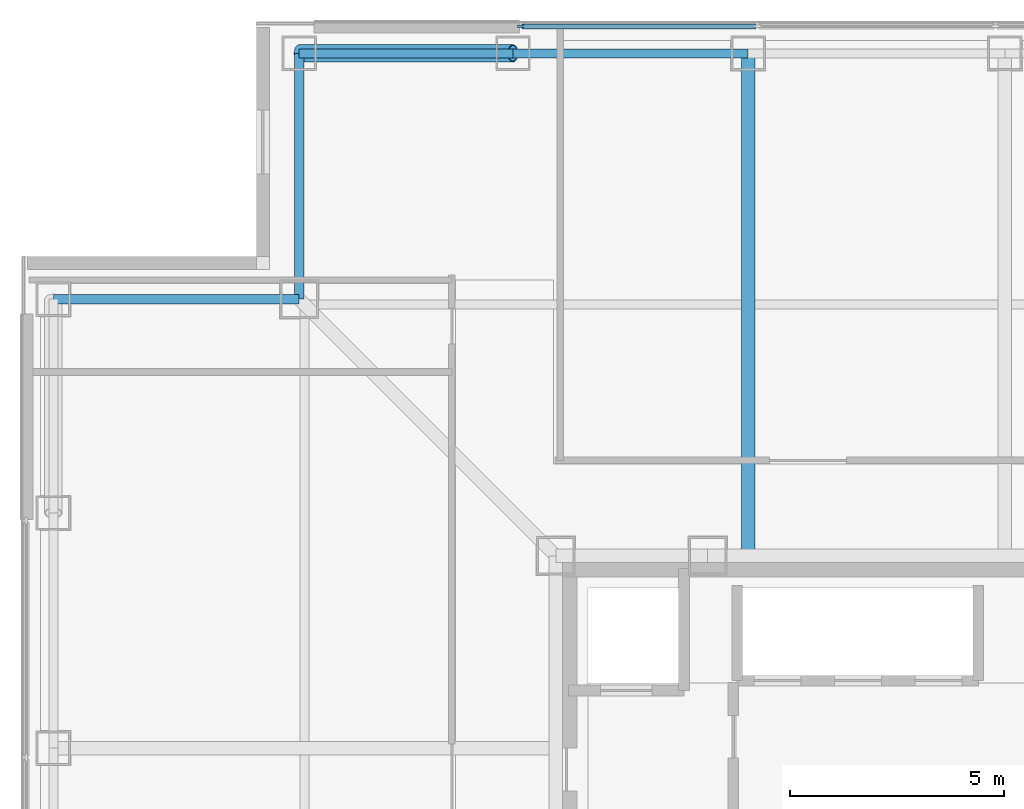
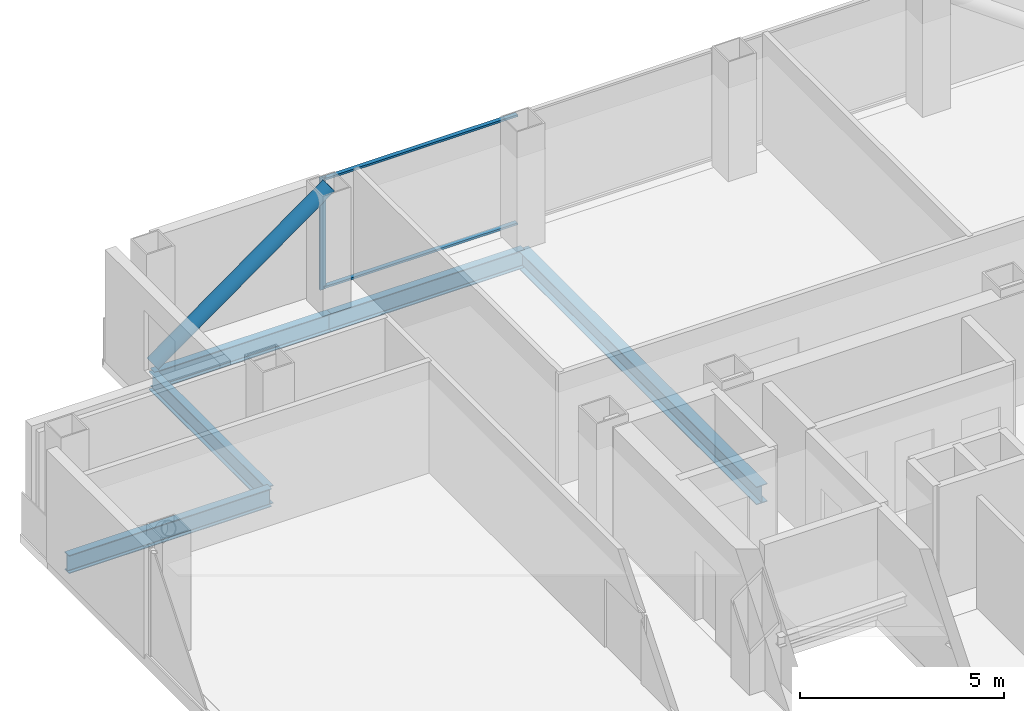
# One storey, part 7 of 17: 5 beams, 4 members, 1 element without a shape of its own.
"""IFC4 building model written with IfcOpenShell, lengths in metres."""

import ifcopenshell
import ifcopenshell.guid

model = None  # the IFC model being written
_history = None  # IfcOwnerHistory: only IFC2X3 demands one
_inside = {}  # id of a spatial element -> (the spatial element, [elements in it])
_under = {}  # id of a project, library or spatial element -> (it, [spatial elements below it])
_declared = {}  # id of a project -> (the project, [libraries it declares])
_typed = {}  # id of a type object -> (the type object, [elements of that type])
_made_of = {}  # id of a material, layer set ... -> (it, [elements and type objects made of it])


def new_model(schema):
    """Start an empty IFC model of exactly this schema.

    Asked for "IFC4X3", IfcOpenShell would pick the latest addendum, in which some entities
    have other attributes; the version numbers below select the first issue.
    IFC2X3 requires an IfcOwnerHistory on every rooted entity: one is made here for all.
    """
    global model, _history
    if schema == "IFC4X3":
        model = ifcopenshell.file(schema_version=(4, 3, 0, 0))
    else:
        model = ifcopenshell.file(schema=schema)
    _inside.clear()
    _under.clear()
    _declared.clear()
    _typed.clear()
    _made_of.clear()
    _history = None
    if model.schema == "IFC2X3":
        org = make("IfcOrganization", Name="unknown")
        user = make(
            "IfcPersonAndOrganization",
            ThePerson=make("IfcPerson", FamilyName="unknown"),
            TheOrganization=org,
        )
        app = make(
            "IfcApplication",
            ApplicationDeveloper=org,
            Version="unknown",
            ApplicationFullName="unknown",
            ApplicationIdentifier="unknown",
        )
        _history = make(
            "IfcOwnerHistory",
            OwningUser=user,
            OwningApplication=app,
            ChangeAction="ADDED",
            CreationDate=0,
        )
    return model


def make(cls, **values):
    """One entity of the class cls with the attributes given. An attribute that is None is left unset."""
    return model.create_entity(
        cls, **{name: value for name, value in values.items() if value is not None}
    )


def rooted(cls, **values):
    """An entity with a GlobalId (a new one), such as an element, a storey or a relation."""
    return make(cls, GlobalId=ifcopenshell.guid.new(), OwnerHistory=_history, **values)


def si_unit(unit_type, name, prefix=None):
    """IfcSIUnit, for example si_unit("LENGTHUNIT", "METRE", prefix="MILLI")."""
    return make("IfcSIUnit", UnitType=unit_type, Prefix=prefix, Name=name)


def assignment(units):
    """IfcUnitAssignment: the units of a project."""
    return None if units is None else make("IfcUnitAssignment", Units=units)


def point(xyz):
    """IfcCartesianPoint."""
    return None if xyz is None else make("IfcCartesianPoint", Coordinates=xyz)


def direction(xyz):
    """IfcDirection."""
    return None if xyz is None else make("IfcDirection", DirectionRatios=xyz)


def frame(location, z_axis=None, x_axis=None):
    """IfcAxis2Placement3D, a coordinate frame: its origin and axes. An axis left out is left unset."""
    return make(
        "IfcAxis2Placement3D",
        Location=point(location),
        Axis=direction(z_axis),
        RefDirection=direction(x_axis),
    )


def frame_2d(location, x_axis=None):
    """IfcAxis2Placement2D, a coordinate frame in the plane: its origin and x axis."""
    return make(
        "IfcAxis2Placement2D", Location=point(location), RefDirection=direction(x_axis)
    )


def origin():
    """The frame at (0, 0, 0) with its axes left unset."""
    return frame((0.0, 0.0, 0.0))


def origin_2d():
    """The frame at (0, 0) in the plane with its x axis left unset."""
    return frame_2d((0.0, 0.0))


def place(relative_to, where):
    """IfcLocalPlacement: puts the frame where relative to a parent placement (None: the world)."""
    return make(
        "IfcLocalPlacement", PlacementRelTo=relative_to, RelativePlacement=where
    )


def context(
    kind, dimensions, precision=None, world=None, true_north=None, identifier=None
):
    """IfcGeometricRepresentationContext, for example the 3D "Model" context."""
    return make(
        "IfcGeometricRepresentationContext",
        ContextIdentifier=identifier,
        ContextType=kind,
        CoordinateSpaceDimension=dimensions,
        Precision=precision,
        WorldCoordinateSystem=world,
        TrueNorth=true_north,
    )


def subcontext(parent, identifier, kind, view, scale=None):
    """IfcGeometricRepresentationSubContext, for example "Body" below "Model"."""
    return make(
        "IfcGeometricRepresentationSubContext",
        ContextIdentifier=identifier,
        ContextType=kind,
        ParentContext=parent,
        TargetScale=scale,
        TargetView=view,
    )


def project(units=None, contexts=None):
    """IfcProject with its units and contexts."""
    return rooted(
        "IfcProject",
        Name="project",
        RepresentationContexts=contexts,
        UnitsInContext=assignment(units),
    )


def spatial(cls, under=None, at=None, **own):
    """A site, building, storey or space (cls), placed at a placement, below another one or the project."""
    s = rooted(cls, ObjectPlacement=at, **own)
    if under is not None:
        _under.setdefault(under.id(), (under, []))[1].append(s)
    return s


def profile(cls, at=None, kind="AREA", **sizes):
    """A parametric profile (cls). Its sizes go by their IFC names, for example OverallWidth=200.0."""
    return make(cls, ProfileType=kind, Position=at, **sizes)


def rectangle(**sizes):
    """IfcRectangleProfileDef."""
    return profile("IfcRectangleProfileDef", **sizes)


def hollow_circle(**sizes):
    """IfcCircleHollowProfileDef."""
    return profile("IfcCircleHollowProfileDef", **sizes)


def i_section(**sizes):
    """IfcIShapeProfileDef."""
    return profile("IfcIShapeProfileDef", **sizes)


def extrude(swept, where, along, depth):
    """IfcExtrudedAreaSolid: the profile swept, set in the frame where, extruded along a direction by depth."""
    return make(
        "IfcExtrudedAreaSolid",
        SweptArea=swept,
        Position=where,
        ExtrudedDirection=direction(along),
        Depth=depth,
    )


def shape(context_of_items, identifier, shape_type, items):
    """IfcShapeRepresentation: the items that make up one representation, for example the "Body"."""
    return make(
        "IfcShapeRepresentation",
        ContextOfItems=context_of_items,
        RepresentationIdentifier=identifier,
        RepresentationType=shape_type,
        Items=items,
    )


def material(Name=None, Category=None):
    """IfcMaterial."""
    return make("IfcMaterial", Name=Name, Category=Category)


def layer(
    of_material, thickness, ventilated=None, Name=None, Category=None, Priority=None
):
    """IfcMaterialLayer: one layer of a wall or slab, of a material (None: an air gap)."""
    return make(
        "IfcMaterialLayer",
        Material=of_material,
        LayerThickness=thickness,
        IsVentilated=ventilated,
        Name=Name,
        Category=Category,
        Priority=Priority,
    )


def layer_set(layers, Name=None):
    """IfcMaterialLayerSet."""
    return make("IfcMaterialLayerSet", MaterialLayers=layers, LayerSetName=Name)


def material_profile(
    of_material, cross_section, Name=None, Category=None, Priority=None
):
    """IfcMaterialProfile: a cross section and its material."""
    return make(
        "IfcMaterialProfile",
        Name=Name,
        Material=of_material,
        Profile=cross_section,
        Priority=Priority,
        Category=Category,
    )


def profile_set(profiles, Name=None, composite=None):
    """IfcMaterialProfileSet."""
    return make(
        "IfcMaterialProfileSet",
        Name=Name,
        MaterialProfiles=profiles,
        CompositeProfile=composite,
    )


def made_of(thing, what):
    """Note that an element or type object is made of a material, layer set ...; save() writes the relation."""
    if what is not None:
        _made_of.setdefault(what.id(), (what, []))[1].append(thing)
    return thing


def type_object(cls, material=None, **own):
    """A type object (cls), such as IfcWallType, which elements share."""
    return made_of(rooted(cls, **own), material)


def element(
    cls,
    number,
    at=None,
    inside=None,
    cuts=None,
    type_object=None,
    material=None,
    context=None,
    identifier="Body",
    shape_type=None,
    held_by="IfcProductDefinitionShape",
    body=None,
    shapes=None,
    **own,
):
    """One element of the class cls, such as IfcWall. Its Tag is "e" and its number.

    at: its placement. inside: the storey or other place that contains it. cuts: it is an
    opening in that element (IfcRelVoidsElement). A single representation is given by context,
    identifier, shape_type and body (its items); several are given by shapes. held_by: the class
    of the entity that holds the representations. save() writes the other relations.
    """
    e = rooted(cls, Tag="e%d" % number, ObjectPlacement=at, **own)
    if body is not None:
        shapes = [shape(context, identifier, shape_type, body)]
    if shapes is not None:
        e.Representation = make(held_by, Representations=shapes)
    if inside is not None:
        _inside.setdefault(inside.id(), (inside, []))[1].append(e)
    if cuts is not None:
        rooted(
            "IfcRelVoidsElement", RelatingBuildingElement=cuts, RelatedOpeningElement=e
        )
    if type_object is not None:
        _typed.setdefault(type_object.id(), (type_object, []))[1].append(e)
    return made_of(e, material)


def aggregate(whole, parts):
    """IfcRelAggregates: a whole, such as a stair, and the parts it consists of."""
    return rooted("IfcRelAggregates", RelatingObject=whole, RelatedObjects=parts)


def save(model, path):
    """Write the relations noted so far, then the file.

    IfcRelAggregates (storeys below a building ...), IfcRelContainedInSpatialStructure (elements
    in a storey), IfcRelDefinesByType, IfcRelAssociatesMaterial and IfcRelDeclares: one each for
    every whole, place, type object, material and project.
    """
    for whole, parts in _under.values():
        aggregate(whole, parts)
    for where, things in _inside.values():
        rooted(
            "IfcRelContainedInSpatialStructure",
            RelatedElements=things,
            RelatingStructure=where,
        )
    for kind, things in _typed.values():
        rooted("IfcRelDefinesByType", RelatedObjects=things, RelatingType=kind)
    for what, things in _made_of.values():
        rooted("IfcRelAssociatesMaterial", RelatedObjects=things, RelatingMaterial=what)
    for by, libraries in _declared.values():
        rooted("IfcRelDeclares", RelatingContext=by, RelatedDefinitions=libraries)
    model.write(path)


model = new_model("IFC4")

# Units and contexts
model_context = context("Model", 3, precision=1e-05, world=origin(), true_north=direction((0.0, 1.0)))
body_context = subcontext(model_context, "Body", "Model", "MODEL_VIEW")
ifc_project = project(units=[si_unit("LENGTHUNIT", "METRE"), si_unit("AREAUNIT", "SQUARE_METRE"), si_unit("VOLUMEUNIT", "CUBIC_METRE"), si_unit("PLANEANGLEUNIT", "RADIAN"), si_unit("MASSUNIT", "GRAM", prefix="KILO")], contexts=[model_context])

# Site, building, storey
site_placement = place(None, origin())
site = spatial("IfcSite", under=ifc_project, at=site_placement, CompositionType="ELEMENT")
building_placement = place(site_placement, origin())
building = spatial("IfcBuilding", under=site, at=building_placement, Name="Trevonay Congress Spire", CompositionType="ELEMENT")
storey_placement = place(building_placement, frame((0.0, 0.0, 191.39990234375)))
storey = spatial("IfcBuildingStorey", under=building, at=storey_placement, Name="L49", CompositionType="ELEMENT", Elevation=191.39990234375)

# Beams
ifc_material_1 = material(Name="Steel ASTM A572 Grade 50", Category="steel")
ifc_material_profile_1 = material_profile(ifc_material_1, i_section(OverallWidth=0.31201171875, OverallDepth=0.54296875, WebThickness=0.0126953125, FlangeThickness=0.020263671875, FilletRadius=0.014892578125, at=origin_2d()), Name="W530x150")
ifc_profile_set_1 = profile_set([ifc_material_profile_1], Name="Steel ASTM A572 Grade 50")
beam_type_1 = type_object("IfcBeamType", Name="BM-GIRD-W530X150", PredefinedType="BEAM", material=ifc_profile_set_1)
beam_1_placement = place(storey_placement, frame((-3.0, 7.5, -0.511474609375), z_axis=(0.0, 1.0, 0.0), x_axis=(-1.0, 0.0, 0.0)))
element("IfcBeam", 1, at=beam_1_placement, inside=storey, type_object=beam_type_1, Name="L49 structural beam BM-L49-GN-M", PredefinedType="BEAM", context=body_context, shape_type="SweptSolid", body=[
    extrude(i_section(OverallWidth=0.31201171875, OverallDepth=0.54296875, WebThickness=0.0126953125, FlangeThickness=0.020263671875, FilletRadius=0.014892578125, at=origin_2d()), origin(), (0.0, 0.0, 1.0), 11.75),
])
ifc_material_profile_2 = material_profile(ifc_material_1, i_section(OverallWidth=0.2119140625, OverallDepth=0.5439453125, WebThickness=0.01318359375, FlangeThickness=0.021240234375, FilletRadius=0.014892578125, at=origin_2d()), Name="W530x123")
ifc_profile_set_2 = profile_set([ifc_material_profile_2], Name="Steel ASTM A572 Grade 50")
beam_type_2 = type_object("IfcBeamType", Name="BM-RING-W530X123", PredefinedType="BEAM", material=ifc_profile_set_2)
beam_2_placement = place(storey_placement, frame((-13.5, 19.25, -0.511962890625), z_axis=(1.0, 0.0, 0.0), x_axis=(0.0, 1.0, 0.0)))
element("IfcBeam", 2, at=beam_2_placement, inside=storey, type_object=beam_type_2, Name="L49 structural beam BM-L49-PN1", PredefinedType="BEAM", context=body_context, shape_type="SweptSolid", body=[
    extrude(i_section(OverallWidth=0.2119140625, OverallDepth=0.5439453125, WebThickness=0.01318359375, FlangeThickness=0.021240234375, FilletRadius=0.014892578125, at=origin_2d()), origin(), (0.0, 0.0, 1.0), 5.0),
])
beam_3_placement = place(storey_placement, frame((-8.5, 19.25, -0.511962890625), z_axis=(1.0, 0.0, 0.0), x_axis=(0.0, 1.0, 0.0)))
element("IfcBeam", 3, at=beam_3_placement, inside=storey, type_object=beam_type_2, Name="L49 structural beam BM-L49-PN2", PredefinedType="BEAM", context=body_context, shape_type="SweptSolid", body=[
    extrude(i_section(OverallWidth=0.2119140625, OverallDepth=0.5439453125, WebThickness=0.01318359375, FlangeThickness=0.021240234375, FilletRadius=0.014892578125, at=origin_2d()), origin(), (0.0, 0.0, 1.0), 5.5),
])
for number, where, z_axis, x_axis, name in (
    (4, (-13.5, 19.25, -0.511962890625), (0.0, -1.0, 0.0), (1.0, 0.0, 0.0), "L49 structural beam BM-L49-N1NW"),
    (5, (-19.25, 13.5, -0.511962890625), (1.0, 0.0, 0.0), (0.0, 1.0, 0.0), "L49 structural beam BM-L49-N2NW"),
):
    element("IfcBeam", number, at=place(storey_placement, frame(where, z_axis=z_axis, x_axis=x_axis)), inside=storey, type_object=beam_type_2, Name=name, PredefinedType="BEAM", context=body_context, shape_type="SweptSolid", body=[
        extrude(i_section(OverallWidth=0.2119140625, OverallDepth=0.5439453125, WebThickness=0.01318359375, FlangeThickness=0.021240234375, FilletRadius=0.014892578125, at=origin_2d()), origin(), (0.0, 0.0, 1.0), 5.75),
    ])

# Curtain wall, members
ifc_material_2 = material(Name="Pale Anodised Aluminium EN AW-6063-T6", Category="aluminium")
ifc_layer = layer(ifc_material_2, 0.169921875, Name="Pale Anodised Aluminium EN AW-6063-T6")
ifc_layer_set = layer_set([ifc_layer], Name="Pale Anodised Aluminium EN AW-6063-T6")
curtain_wall_type = type_object("IfcCurtainWallType", Name="CW-SYS04-CORP-PALE-METAL", PredefinedType="NOTDEFINED", material=ifc_layer_set)
curtain_wall_placement = place(storey_placement, origin())
curtain_wall = element("IfcCurtainWall", 6, at=curtain_wall_placement, inside=storey, type_object=curtain_wall_type, Name="L49 N unitised curtain wall", PredefinedType="NOTDEFINED")
ifc_material_profile_3 = material_profile(ifc_material_2, rectangle(XDim=0.06005859375, YDim=0.159912109375, at=origin_2d()), Name="CW-MULLION-160-ALUMINIUM")
ifc_profile_set_3 = profile_set([ifc_material_profile_3], Name="Pale Anodised Aluminium EN AW-6063-T6")
member_type_1 = type_object("IfcMemberType", Name="CW-MULLION-160-ALUMINIUM", PredefinedType="MULLION", material=ifc_profile_set_3)
member_1_placement = place(storey_placement, frame((-8.320068359375, 19.8798828125, 0.0), z_axis=(0.0, 0.0, 1.0), x_axis=(0.0, 1.0, 0.0)))
member_1 = element("IfcMember", 7, at=member_1_placement, type_object=member_type_1, Name="CW04 mullion 1", PredefinedType="MULLION", context=body_context, shape_type="SweptSolid", body=[
    extrude(rectangle(XDim=0.06005859375, YDim=0.159912109375, at=origin_2d()), origin(), (0.0, 0.0, 1.0), 3.360107421875),
])
ifc_material_profile_4 = material_profile(ifc_material_2, rectangle(XDim=0.1201171875, YDim=0.06005859375, at=origin_2d()), Name="CW-TRANSOM-120-ALUMINIUM")
ifc_profile_set_4 = profile_set([ifc_material_profile_4], Name="Pale Anodised Aluminium EN AW-6063-T6")
member_type_2 = type_object("IfcMemberType", Name="CW-TRANSOM-120-ALUMINIUM", PredefinedType="USERDEFINED", material=ifc_profile_set_4)
member_2_placement = place(storey_placement, frame((-8.2900390625, 19.8798828125, 0.06005859375), z_axis=(1.0, 0.0, 0.0), x_axis=(0.0, 1.0, 0.0)))
member_2 = element("IfcMember", 8, at=member_2_placement, type_object=member_type_2, Name="CW04 transom 1.1", ObjectType="TRANSOM", PredefinedType="USERDEFINED", context=body_context, shape_type="SweptSolid", body=[
    extrude(rectangle(XDim=0.1201171875, YDim=0.06005859375, at=origin_2d()), origin(), (0.0, 0.0, 1.0), 5.476806640625),
])
member_3_placement = place(storey_placement, frame((-8.2900390625, 19.8798828125, 3.300048828125), z_axis=(1.0, 0.0, 0.0), x_axis=(0.0, 1.0, 0.0)))
member_3 = element("IfcMember", 9, at=member_3_placement, type_object=member_type_2, Name="CW04 transom 1.2", ObjectType="TRANSOM", PredefinedType="USERDEFINED", context=body_context, shape_type="SweptSolid", body=[
    extrude(rectangle(XDim=0.1201171875, YDim=0.06005859375, at=origin_2d()), origin(), (0.0, 0.0, 1.0), 5.476806640625),
])
aggregate(curtain_wall, [member_1, member_2, member_3])

# Member
ifc_material_3 = material(Name="Steel ASTM A500 Grade C", Category="steel")
ifc_material_profile_5 = material_profile(ifc_material_3, hollow_circle(Radius=0.203125, WallThickness=0.02001953125, at=origin_2d()), Name="CHS 406.4x20")
ifc_profile_set_5 = profile_set([ifc_material_profile_5], Name="Steel ASTM A500 Grade C")
member_type_3 = type_object("IfcMemberType", Name="MBR-TUBE-CHS406", PredefinedType="BRACE", material=ifc_profile_set_5)
member_4_placement = place(storey_placement, frame((-13.5, 19.25, -0.0498046875), z_axis=(0.811545615365, 0.0, 0.584289067313), x_axis=(0.0, 1.0, 0.0)))
element("IfcMember", 10, at=member_4_placement, inside=storey, type_object=member_type_3, Name="L49 perimeter braced-tube diagonal N0", PredefinedType="BRACE", context=body_context, shape_type="SweptSolid", body=[
    extrude(hollow_circle(Radius=0.203125, WallThickness=0.02001953125, at=origin_2d()), origin(), (0.0, 0.0, 1.0), 6.1611328125),
])

save(model, "model.ifc")
